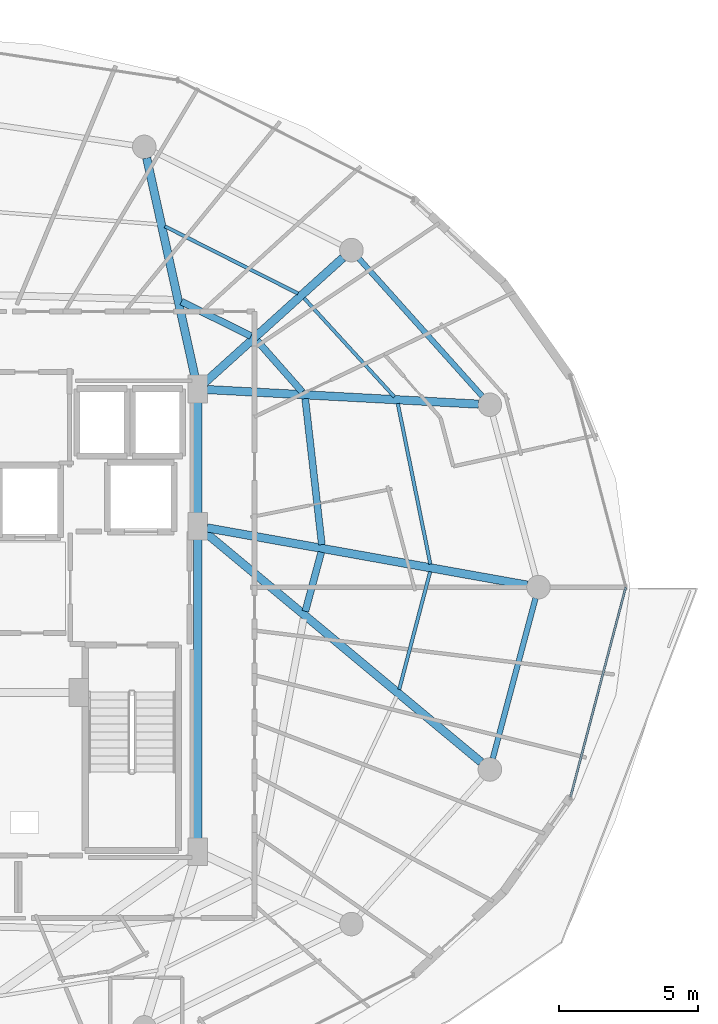
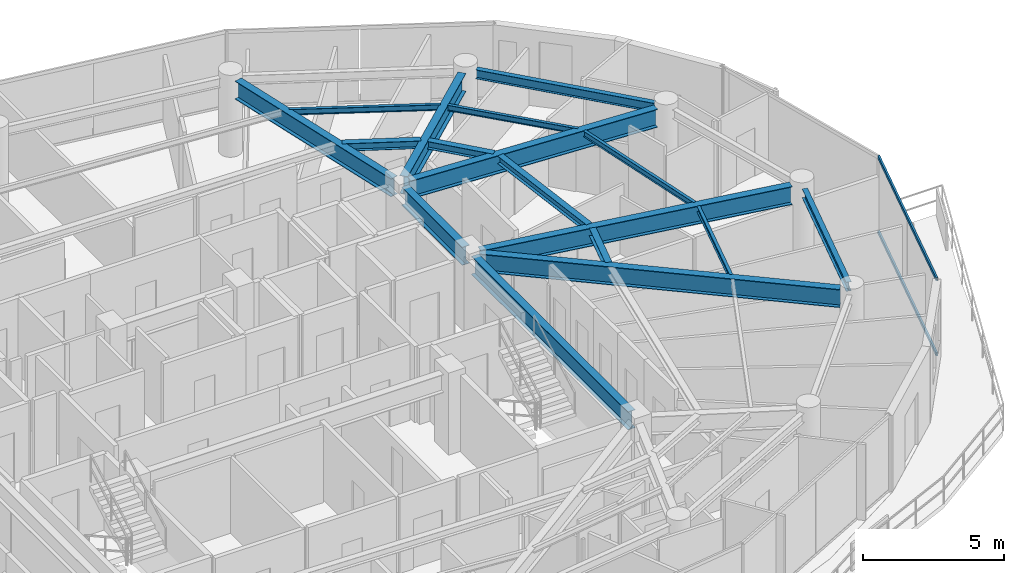
# One storey, part 13 of 30: 17 beams, 2 members, 1 element without a shape of its own.
"""IFC4 building model written with IfcOpenShell, lengths in metres."""

from ifc_helpers import new_model, si_unit, direction, frame, origin, origin_2d, place, context, subcontext, project, spatial, hollow_rectangle, i_section, extrude, material, material_profile, profile_set, type_object, element, aggregate, save


model = new_model("IFC4")

# Units and contexts
model_context = context("Model", 3, precision=1e-05, world=origin(), true_north=direction((0.0, 1.0)))
body_context = subcontext(model_context, "Body", "Model", "MODEL_VIEW")
ifc_project = project(units=[si_unit("LENGTHUNIT", "METRE"), si_unit("AREAUNIT", "SQUARE_METRE"), si_unit("VOLUMEUNIT", "CUBIC_METRE"), si_unit("PLANEANGLEUNIT", "RADIAN"), si_unit("MASSUNIT", "GRAM", prefix="KILO")], contexts=[model_context])

# Site, building, storey
site_placement = place(None, origin())
site = spatial("IfcSite", under=ifc_project, at=site_placement, CompositionType="ELEMENT")
building_placement = place(site_placement, origin())
building = spatial("IfcBuilding", under=site, at=building_placement, Name="Vorneva Point Tower", CompositionType="ELEMENT")
storey_placement = place(building_placement, frame((0.0, 0.0, 262.64990234375)))
storey = spatial("IfcBuildingStorey", under=building, at=storey_placement, Name="L71", CompositionType="ELEMENT", Elevation=262.64990234375)

# Beams
ifc_material_1 = material(Name="Steel S355", Category="steel")
ifc_material_profile_1 = material_profile(ifc_material_1, i_section(OverallWidth=0.300048828125, OverallDepth=0.7880859375, WebThickness=0.014404296875, FlangeThickness=0.02197265625, at=origin_2d()), Name="80Sh1")
ifc_profile_set_1 = profile_set([ifc_material_profile_1], Name="Steel S355")
beam_type_1 = type_object("IfcBeamType", Name="BM-GRD-80Sh1", PredefinedType="USERDEFINED", material=ifc_profile_set_1)
beam_1_placement = place(storey_placement, frame((60.6435546875, 26.07275390625, 2.89599609375), z_axis=(-0.9843788355, 0.17606336422, 0.0), x_axis=(-0.17606336422, -0.9843788355, 0.0)))
element("IfcBeam", 1, at=beam_1_placement, inside=storey, type_object=beam_type_1, Name="L71 Radial Primary Girder 01", ObjectType="GIRDER", PredefinedType="USERDEFINED", context=body_context, shape_type="SweptSolid", body=[
    extrude(i_section(OverallWidth=0.300048828125, OverallDepth=0.7880859375, WebThickness=0.014404296875, FlangeThickness=0.02197265625, at=origin_2d()), origin(), (0.0, 0.0, 1.0), 11.7421875),
])
beam_2_placement = place(storey_placement, frame((58.883056640625, 32.6044921875, 2.89599609375), z_axis=(-0.998554756376, 0.05374382308, 0.0), x_axis=(-0.05374382308, -0.998554756376, 0.0)))
element("IfcBeam", 2, at=beam_2_placement, inside=storey, type_object=beam_type_1, Name="L71 Radial Primary Girder 02", ObjectType="GIRDER", PredefinedType="USERDEFINED", context=body_context, shape_type="SweptSolid", body=[
    extrude(i_section(OverallWidth=0.300048828125, OverallDepth=0.7880859375, WebThickness=0.014404296875, FlangeThickness=0.02197265625, at=origin_2d()), origin(), (0.0, 0.0, 1.0), 9.8076171875),
])
beam_3_placement = place(storey_placement, frame((53.9921875, 37.885498046875, 2.89599609375), z_axis=(-0.7420671051, -0.670325601128, 0.0), x_axis=(0.670325601128, -0.7420671051, 0.0)))
element("IfcBeam", 3, at=beam_3_placement, inside=storey, type_object=beam_type_1, Name="L71 Radial Primary Girder 03", ObjectType="GIRDER", PredefinedType="USERDEFINED", context=body_context, shape_type="SweptSolid", body=[
    extrude(i_section(OverallWidth=0.300048828125, OverallDepth=0.7880859375, WebThickness=0.014404296875, FlangeThickness=0.02197265625, at=origin_2d()), origin(), (0.0, 0.0, 1.0), 6.724365234375),
])
beam_4_placement = place(storey_placement, frame((46.909912109375, 41.4873046875, 2.89599609375), z_axis=(0.215520742957, -0.976499262342, 0.0), x_axis=(0.976499262342, 0.215520742957, 0.0)))
element("IfcBeam", 4, at=beam_4_placement, inside=storey, type_object=beam_type_1, Name="L71 Radial Primary Girder 04", ObjectType="GIRDER", PredefinedType="USERDEFINED", context=body_context, shape_type="SweptSolid", body=[
    extrude(i_section(OverallWidth=0.300048828125, OverallDepth=0.7880859375, WebThickness=0.014404296875, FlangeThickness=0.02197265625, at=origin_2d()), origin(), (0.0, 0.0, 1.0), 8.197998046875),
])
beam_5_placement = place(storey_placement, frame((58.97802734375, 19.68212890625, 2.89599609375), z_axis=(-0.768424898021, 0.639939978515, 0.0), x_axis=(-0.639939978515, -0.768424898021, 0.0)))
element("IfcBeam", 5, at=beam_5_placement, inside=storey, type_object=beam_type_1, Name="L71 Radial Primary Girder 16", ObjectType="GIRDER", PredefinedType="USERDEFINED", context=body_context, shape_type="SweptSolid", body=[
    extrude(i_section(OverallWidth=0.300048828125, OverallDepth=0.7880859375, WebThickness=0.014404296875, FlangeThickness=0.02197265625, at=origin_2d()), origin(), (0.0, 0.0, 1.0), 12.970458984375),
])
beam_6_placement = place(storey_placement, frame((48.75, 16.77001953125, 2.89599609375), z_axis=(0.0, 1.0, 0.0), x_axis=(-1.0, 0.0, 0.0)))
element("IfcBeam", 6, at=beam_6_placement, inside=storey, type_object=beam_type_1, Name="L71 Core Tie Girder CT3", ObjectType="GIRDER", PredefinedType="USERDEFINED", context=body_context, shape_type="SweptSolid", body=[
    extrude(i_section(OverallWidth=0.300048828125, OverallDepth=0.7880859375, WebThickness=0.014404296875, FlangeThickness=0.02197265625, at=origin_2d()), origin(), (0.0, 0.0, 1.0), 11.10986328125),
])
beam_7_placement = place(storey_placement, frame((48.75, 28.52001953125, 2.89599609375), z_axis=(0.0, 1.0, 0.0), x_axis=(-1.0, 0.0, 0.0)))
element("IfcBeam", 7, at=beam_7_placement, inside=storey, type_object=beam_type_1, Name="L71 Core Tie Girder CT4", ObjectType="GIRDER", PredefinedType="USERDEFINED", context=body_context, shape_type="SweptSolid", body=[
    extrude(i_section(OverallWidth=0.300048828125, OverallDepth=0.7880859375, WebThickness=0.014404296875, FlangeThickness=0.02197265625, at=origin_2d()), origin(), (0.0, 0.0, 1.0), 4.31005859375),
])
ifc_material_profile_2 = material_profile(ifc_material_1, i_section(OverallWidth=0.1240234375, OverallDepth=0.248046875, WebThickness=0.0048828125, FlangeThickness=0.008056640625, at=origin_2d()), Name="25B1")
ifc_profile_set_2 = profile_set([ifc_material_profile_2], Name="Steel S355")
beam_type_2 = type_object("IfcBeamType", Name="BM-JST-25B1", PredefinedType="JOIST", material=ifc_profile_set_2)
beam_8_placement = place(storey_placement, frame((57.1484375, 26.828125, 3.166015625), z_axis=(-0.198749723776, 0.980050277944, 0.0), x_axis=(-0.980050277944, -0.198749723776, 0.0)))
element("IfcBeam", 8, at=beam_8_placement, inside=storey, type_object=beam_type_2, Name="L71 Secondary Floor Beam 1.01", PredefinedType="JOIST", context=body_context, shape_type="SweptSolid", body=[
    extrude(i_section(OverallWidth=0.1240234375, OverallDepth=0.248046875, WebThickness=0.0048828125, FlangeThickness=0.008056640625, at=origin_2d()), origin(), (0.0, 0.0, 1.0), 5.917236328125),
])
beam_9_placement = place(storey_placement, frame((55.851806640625, 32.864501953125, 3.166015625), z_axis=(-0.675024574834, 0.737795244881, 0.0), x_axis=(-0.737795244881, -0.675024574834, 0.0)))
element("IfcBeam", 9, at=beam_9_placement, inside=storey, type_object=beam_type_2, Name="L71 Secondary Floor Beam 1.02", PredefinedType="JOIST", context=body_context, shape_type="SweptSolid", body=[
    extrude(i_section(OverallWidth=0.1240234375, OverallDepth=0.248046875, WebThickness=0.0048828125, FlangeThickness=0.008056640625, at=origin_2d()), origin(), (0.0, 0.0, 1.0), 4.83447265625),
])
beam_10_placement = place(storey_placement, frame((52.3720703125, 36.595458984375, 3.166015625), z_axis=(-0.892661963026, 0.450726768416, 0.0), x_axis=(-0.450726768416, -0.892661963026, 0.0)))
element("IfcBeam", 10, at=beam_10_placement, inside=storey, type_object=beam_type_2, Name="L71 Secondary Floor Beam 1.03", PredefinedType="JOIST", context=body_context, shape_type="SweptSolid", body=[
    extrude(i_section(OverallWidth=0.1240234375, OverallDepth=0.248046875, WebThickness=0.0048828125, FlangeThickness=0.008056640625, at=origin_2d()), origin(), (0.0, 0.0, 1.0), 5.387451171875),
])
beam_11_placement = place(storey_placement, frame((56.023193359375, 22.3056640625, 3.166015625), z_axis=(0.25411622729, 0.967173688139, 0.0), x_axis=(-0.967173688139, 0.25411622729, 0.0)))
element("IfcBeam", 11, at=beam_11_placement, inside=storey, type_object=beam_type_2, Name="L71 Secondary Floor Beam 1.16", PredefinedType="JOIST", context=body_context, shape_type="SweptSolid", body=[
    extrude(i_section(OverallWidth=0.1240234375, OverallDepth=0.248046875, WebThickness=0.0048828125, FlangeThickness=0.008056640625, at=origin_2d()), origin(), (0.0, 0.0, 1.0), 4.398193359375),
])
ifc_material_profile_3 = material_profile(ifc_material_1, i_section(OverallWidth=0.2490234375, OverallDepth=0.333984375, WebThickness=0.008056640625, FlangeThickness=0.010986328125, at=origin_2d()), Name="35Sh1")
ifc_profile_set_3 = profile_set([ifc_material_profile_3], Name="Steel S355")
beam_type_3 = type_object("IfcBeamType", Name="BM-SEC-35Sh1", PredefinedType="BEAM", material=ifc_profile_set_3)
beam_12_placement = place(storey_placement, frame((53.230224609375, 27.532958984375, 3.123046875), z_axis=(-0.11296647315, 0.993598800293, 0.0), x_axis=(-0.993598800293, -0.11296647315, 0.0)))
element("IfcBeam", 12, at=beam_12_placement, inside=storey, type_object=beam_type_3, Name="L71 Secondary Floor Beam 2.01", PredefinedType="BEAM", context=body_context, shape_type="SweptSolid", body=[
    extrude(i_section(OverallWidth=0.2490234375, OverallDepth=0.333984375, WebThickness=0.008056640625, FlangeThickness=0.010986328125, at=origin_2d()), origin(), (0.0, 0.0, 1.0), 5.3056640625),
])
beam_13_placement = place(storey_placement, frame((52.52392578125, 33.04541015625, 3.123046875), z_axis=(-0.661641254141, 0.749820545743, 0.0), x_axis=(-0.749820545743, -0.661641254141, 0.0)))
element("IfcBeam", 13, at=beam_13_placement, inside=storey, type_object=beam_type_3, Name="L71 Secondary Floor Beam 2.02", PredefinedType="BEAM", context=body_context, shape_type="SweptSolid", body=[
    extrude(i_section(OverallWidth=0.2490234375, OverallDepth=0.333984375, WebThickness=0.008056640625, FlangeThickness=0.010986328125, at=origin_2d()), origin(), (0.0, 0.0, 1.0), 2.4697265625),
])
beam_14_placement = place(storey_placement, frame((50.675048828125, 35.061767578125, 3.123046875), z_axis=(-0.896474982162, 0.443094353786, 0.0), x_axis=(-0.443094353786, -0.896474982162, 0.0)))
element("IfcBeam", 14, at=beam_14_placement, inside=storey, type_object=beam_type_3, Name="L71 Secondary Floor Beam 2.03", PredefinedType="BEAM", context=body_context, shape_type="SweptSolid", body=[
    extrude(i_section(OverallWidth=0.2490234375, OverallDepth=0.333984375, WebThickness=0.008056640625, FlangeThickness=0.010986328125, at=origin_2d()), origin(), (0.0, 0.0, 1.0), 2.80078125),
])
beam_15_placement = place(storey_placement, frame((52.63525390625, 25.12744140625, 3.123046875), z_axis=(0.259902201987, 0.96563494417, 0.0), x_axis=(-0.96563494417, 0.259902201987, 0.0)))
element("IfcBeam", 15, at=beam_15_placement, inside=storey, type_object=beam_type_3, Name="L71 Secondary Floor Beam 2.16", PredefinedType="BEAM", context=body_context, shape_type="SweptSolid", body=[
    extrude(i_section(OverallWidth=0.2490234375, OverallDepth=0.333984375, WebThickness=0.008056640625, FlangeThickness=0.010986328125, at=origin_2d()), origin(), (0.0, 0.0, 1.0), 2.211181640625),
])
ifc_material_profile_4 = material_profile(ifc_material_1, i_section(OverallWidth=0.198974609375, OverallDepth=0.39599609375, WebThickness=0.007080078125, FlangeThickness=0.010986328125, at=origin_2d()), Name="40B1")
ifc_profile_set_4 = profile_set([ifc_material_profile_4], Name="Steel S355")
beam_type_4 = type_object("IfcBeamType", Name="BM-SPN-40B1", PredefinedType="SPANDREL", material=ifc_profile_set_4)
beam_16_placement = place(storey_placement, frame((59.02197265625, 32.8876953125, 3.092041015625), z_axis=(-0.667108282638, 0.744960763554, 0.0), x_axis=(-0.744960763554, -0.667108282638, 0.0)))
element("IfcBeam", 16, at=beam_16_placement, inside=storey, type_object=beam_type_4, Name="L71 Perimeter Spandrel Ring Beam 02", PredefinedType="SPANDREL", context=body_context, shape_type="SweptSolid", body=[
    extrude(i_section(OverallWidth=0.198974609375, OverallDepth=0.39599609375, WebThickness=0.007080078125, FlangeThickness=0.010986328125, at=origin_2d()), origin(), (0.0, 0.0, 1.0), 6.670166015625),
])
beam_17_placement = place(storey_placement, frame((59.40087890625, 19.81396484375, 3.092041015625), z_axis=(0.257586570866, 0.966255224312, 0.0), x_axis=(-0.966255224312, 0.257586570866, 0.0)))
element("IfcBeam", 17, at=beam_17_placement, inside=storey, type_object=beam_type_4, Name="L71 Perimeter Spandrel Ring Beam 16", PredefinedType="SPANDREL", context=body_context, shape_type="SweptSolid", body=[
    extrude(i_section(OverallWidth=0.198974609375, OverallDepth=0.39599609375, WebThickness=0.007080078125, FlangeThickness=0.010986328125, at=origin_2d()), origin(), (0.0, 0.0, 1.0), 5.991943359375),
])

# Curtain wall, members
ifc_material_2 = material(Name="Pale anodised aluminium", Category="aluminium")
curtain_wall_type = type_object("IfcCurtainWallType", Name="CW-RES-SYS", PredefinedType="NOTDEFINED", material=ifc_material_2)
curtain_wall_placement = place(storey_placement, origin())
curtain_wall = element("IfcCurtainWall", 18, at=curtain_wall_placement, inside=storey, type_object=curtain_wall_type, Name="L71 Unitised Curtain Wall CW-L71-R01", PredefinedType="NOTDEFINED")
ifc_material_profile_5 = material_profile(ifc_material_2, hollow_rectangle(XDim=0.074951171875, YDim=0.14990234375, WallThickness=0.00390625, at=origin_2d()), Name="AL-TRN 150x75x4")
ifc_profile_set_5 = profile_set([ifc_material_profile_5], Name="Pale anodised aluminium")
member_type = type_object("IfcMemberType", Name="CW-TRN-150", PredefinedType="USERDEFINED", material=ifc_profile_set_5)
member_1_placement = place(storey_placement, frame((62.20556640625, 18.4189453125, 0.02001953125), z_axis=(0.254418180926, 0.967094302131, 0.0), x_axis=(-0.967094302131, 0.254418180926, 0.0)))
member_1 = element("IfcMember", 19, at=member_1_placement, type_object=member_type, Name="CW-L71-R01 Transom 01.1", ObjectType="TRANSOM", PredefinedType="USERDEFINED", context=body_context, shape_type="SweptSolid", body=[
    extrude(hollow_rectangle(XDim=0.074951171875, YDim=0.14990234375, WallThickness=0.00390625, at=origin_2d()), origin(), (0.0, 0.0, 1.0), 7.839111328125),
])
member_2_placement = place(storey_placement, frame((62.20556640625, 18.4189453125, 3.27001953125), z_axis=(0.254418180926, 0.967094302131, 0.0), x_axis=(-0.967094302131, 0.254418180926, 0.0)))
member_2 = element("IfcMember", 20, at=member_2_placement, type_object=member_type, Name="CW-L71-R01 Transom 01.2", ObjectType="TRANSOM", PredefinedType="USERDEFINED", context=body_context, shape_type="SweptSolid", body=[
    extrude(hollow_rectangle(XDim=0.074951171875, YDim=0.14990234375, WallThickness=0.00390625, at=origin_2d()), origin(), (0.0, 0.0, 1.0), 7.839111328125),
])
aggregate(curtain_wall, [member_1, member_2])

save(model, "model.ifc")
